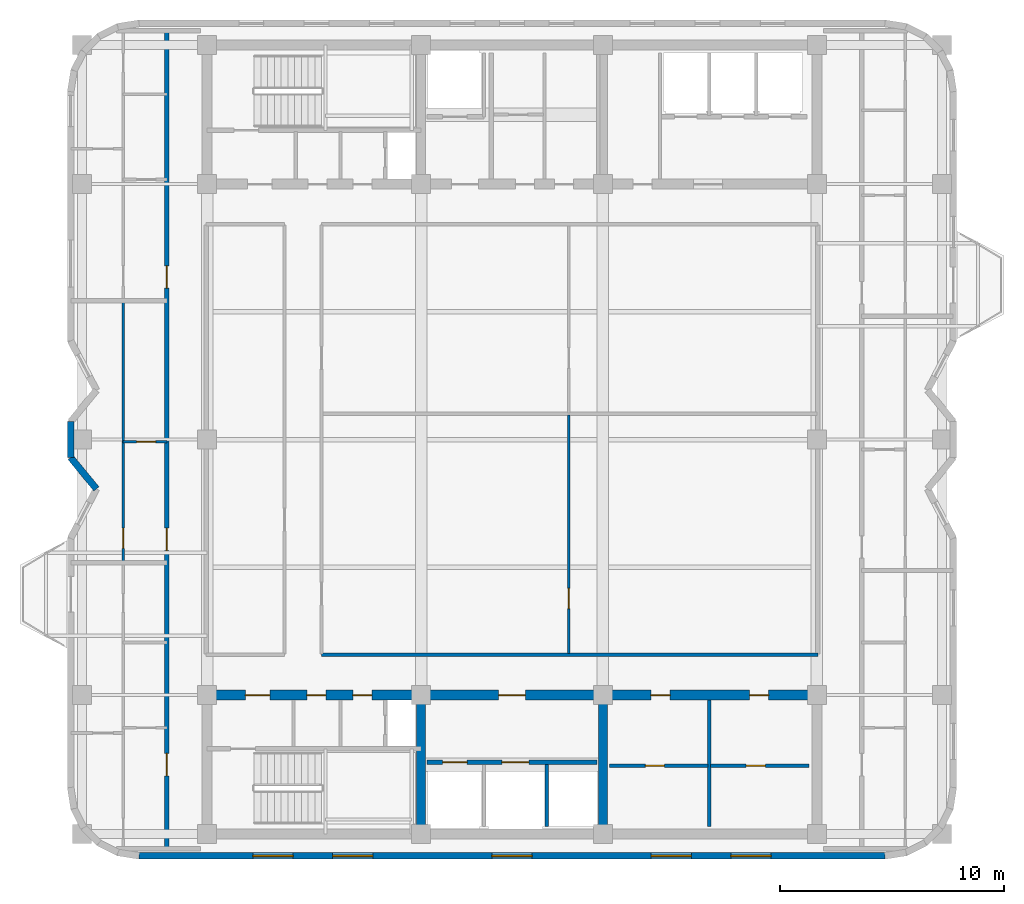
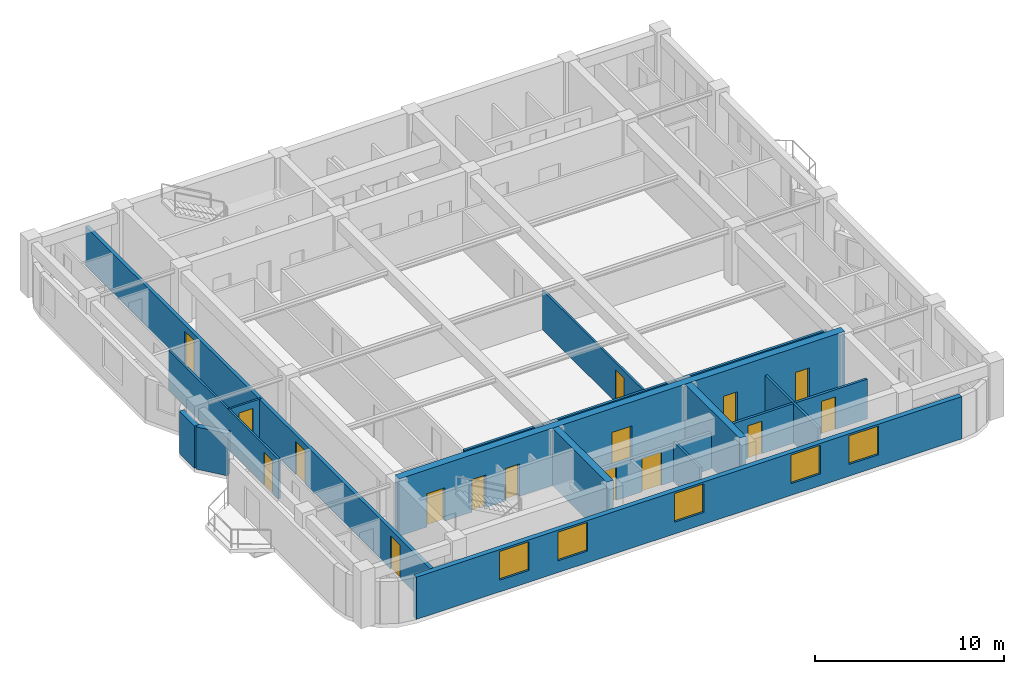
# One storey, part 3 of 9: 16 doors, 16 walls, 5 windows, 21 openings.
"""IFC4 building model written with IfcOpenShell, lengths in metres."""

from ifc_helpers import new_model, si_unit, direction, frame, frame_2d, origin, place, context, subcontext, project, spatial, rectangle, extrude, material, layer, layer_set, type_object, element, fill, save


model = new_model("IFC4")

# Units and contexts
model_context = context("Model", 3, precision=1e-05, world=origin(), true_north=direction((0.0, 1.0)))
body_context = subcontext(model_context, "Body", "Model", "MODEL_VIEW")
ifc_project = project(units=[si_unit("LENGTHUNIT", "METRE"), si_unit("AREAUNIT", "SQUARE_METRE"), si_unit("VOLUMEUNIT", "CUBIC_METRE"), si_unit("PLANEANGLEUNIT", "RADIAN"), si_unit("MASSUNIT", "GRAM", prefix="KILO")], contexts=[model_context])

# Site, building, storey
site_placement = place(None, origin())
site = spatial("IfcSite", under=ifc_project, at=site_placement, CompositionType="ELEMENT")
building_placement = place(site_placement, origin())
building = spatial("IfcBuilding", under=site, at=building_placement, Name="Svetorya Sky Lyceum", CompositionType="ELEMENT")
storey_placement = place(building_placement, frame((0.0, 0.0, 240.60009765625)))
storey = spatial("IfcBuildingStorey", under=building, at=storey_placement, Name="L60", CompositionType="ELEMENT", Elevation=240.60009765625)

# Walls
ifc_material_1 = material(Name="Concrete C40/50", Category="concrete")
ifc_layer_1 = layer(ifc_material_1, 0.39990234375)
ifc_layer_set_1 = layer_set([ifc_layer_1], Name="Concrete C40/50")
wall_type_1 = type_object("IfcWallType", Name="WL-CORE-400", PredefinedType="SHEAR", material=ifc_layer_set_1)
for number, where, z_axis, x_axis, name in (
    (1, (35.14990234375, 10.824951171875, 0.0), (0.0, 0.0, 1.0), (0.0, 1.0, 0.0), "L60 SC Internal Shear Web WEB1"),
    (2, (43.25, 10.824951171875, 0.0), (0.0, 0.0, 1.0), (0.0, 1.0, 0.0), "L60 SC Internal Shear Web WEB2"),
):
    element("IfcWall", number, at=place(storey_placement, frame(where, z_axis=z_axis, x_axis=x_axis)), inside=storey, type_object=wall_type_1, Name=name, PredefinedType="SHEAR", context=body_context, shape_type="SweptSolid", body=[
        extrude(rectangle(XDim=5.75, YDim=0.39990234375, at=frame_2d((2.875, 0.0))), origin(), (0.0, 0.0, 1.0), 3.699951171875),
    ])

# Wall, openings, doors
ifc_material_2 = material(Name="Concrete C50/60", Category="concrete")
ifc_layer_2 = layer(ifc_material_2, 0.449951171875)
ifc_layer_set_2 = layer_set([ifc_layer_2], Name="Concrete C50/60")
wall_type_2 = type_object("IfcWallType", Name="WL-CORE-450", PredefinedType="SHEAR", material=ifc_layer_set_2)
wall_1_placement = place(storey_placement, frame((25.60009765625, 16.800048828125, 0.0), z_axis=(0.0, 0.0, 1.0), x_axis=(1.0, 0.0, 0.0)))
wall_1 = element("IfcWall", 3, at=wall_1_placement, inside=storey, type_object=wall_type_2, Name="L60 SC Inner Core Shear Wall", PredefinedType="SHEAR", context=body_context, shape_type="SweptSolid", body=[
    extrude(rectangle(XDim=27.199951171875, YDim=0.449951171875, at=frame_2d((13.60009765625, 0.0))), origin(), (0.0, 0.0, 1.0), 3.699951171875),
])
opening_1_placement = place(wall_1_placement, frame((1.699951171875, 0.0, 0.0)))
opening_1 = element("IfcOpeningElement", 4, at=opening_1_placement, cuts=wall_1, Name="Opening D-ST1", PredefinedType="OPENING", context=body_context, shape_type="SweptSolid", body=[
    extrude(rectangle(XDim=1.10009765625, YDim=2.14990234375, at=frame_2d((0.550048828125, 1.074951171875))), frame((0.0, 0.23486328125, 0.0), z_axis=(0.0, -1.0, 0.0), x_axis=(1.0, 0.0, 0.0)), (0.0, 0.0, 1.0), 0.469970703125),
])
opening_2_placement = place(wall_1_placement, frame((4.449951171875, 0.0, 0.0)))
opening_2 = element("IfcOpeningElement", 5, at=opening_2_placement, cuts=wall_1, Name="Opening D-CWC1", PredefinedType="OPENING", context=body_context, shape_type="SweptSolid", body=[
    extrude(rectangle(XDim=0.85009765625, YDim=2.10009765625, at=frame_2d((0.425048828125, 1.050048828125))), frame((0.0, 0.23486328125, 0.0), z_axis=(0.0, -1.0, 0.0), x_axis=(1.0, 0.0, 0.0)), (0.0, 0.0, 1.0), 0.469970703125),
])
opening_3_placement = place(wall_1_placement, frame((6.5, 0.0, 0.0)))
opening_3 = element("IfcOpeningElement", 6, at=opening_3_placement, cuts=wall_1, Name="Opening D-CWC1", PredefinedType="OPENING", context=body_context, shape_type="SweptSolid", body=[
    extrude(rectangle(XDim=0.85009765625, YDim=2.10009765625, at=frame_2d((0.425048828125, 1.050048828125))), frame((0.0, 0.23486328125, 0.0), z_axis=(0.0, -1.0, 0.0), x_axis=(1.0, 0.0, 0.0)), (0.0, 0.0, 1.0), 0.469970703125),
])
opening_4_placement = place(wall_1_placement, frame((13.0, 0.0, 0.0)))
opening_4 = element("IfcOpeningElement", 7, at=opening_4_placement, cuts=wall_1, Name="Opening D-FL1", PredefinedType="OPENING", context=body_context, shape_type="SweptSolid", body=[
    extrude(rectangle(XDim=1.199951171875, YDim=2.14990234375, at=frame_2d((0.60009765625, 1.074951171875))), frame((0.0, 0.23486328125, 0.0), z_axis=(0.0, -1.0, 0.0), x_axis=(1.0, 0.0, 0.0)), (0.0, 0.0, 1.0), 0.469970703125),
])
opening_5_placement = place(wall_1_placement, frame((19.800048828125, 0.0, 0.0)))
opening_5 = element("IfcOpeningElement", 8, at=opening_5_placement, cuts=wall_1, Name="Opening D-CWC1", PredefinedType="OPENING", context=body_context, shape_type="SweptSolid", body=[
    extrude(rectangle(XDim=0.85009765625, YDim=2.10009765625, at=frame_2d((0.425048828125, 1.050048828125))), frame((0.0, 0.23486328125, 0.0), z_axis=(0.0, -1.0, 0.0), x_axis=(1.0, 0.0, 0.0)), (0.0, 0.0, 1.0), 0.469970703125),
])
opening_6_placement = place(wall_1_placement, frame((24.199951171875, 0.0, 0.0)))
opening_6 = element("IfcOpeningElement", 9, at=opening_6_placement, cuts=wall_1, Name="Opening D-CWC1", PredefinedType="OPENING", context=body_context, shape_type="SweptSolid", body=[
    extrude(rectangle(XDim=0.85009765625, YDim=2.10009765625, at=frame_2d((0.425048828125, 1.050048828125))), frame((0.0, 0.23486328125, 0.0), z_axis=(0.0, -1.0, 0.0), x_axis=(1.0, 0.0, 0.0)), (0.0, 0.0, 1.0), 0.469970703125),
])
ifc_material_3 = material(Name="Fire-rated galvanized steel core service closet door", Category="steel")
door_type_1 = type_object("IfcDoorType", Name="DR-CWET-850", OperationType="SINGLE_SWING_LEFT", PredefinedType="DOOR", material=ifc_material_3)
door_1_placement = place(opening_2_placement, origin())
door_1 = element("IfcDoor", 10, at=door_1_placement, inside=storey, type_object=door_type_1, Name="L60 South Mop Closet Door", OperationType="SINGLE_SWING_LEFT", OverallHeight=2.10009765625, OverallWidth=0.85009765625, PredefinedType="DOOR", context=body_context, shape_type="SweptSolid", body=[
    extrude(rectangle(XDim=0.85009765625, YDim=2.10009765625, at=frame_2d((0.425048828125, 1.050048828125))), frame((0.0, 0.02490234375, 0.0), z_axis=(0.0, -1.0, 0.0), x_axis=(1.0, 0.0, 0.0)), (0.0, 0.0, 1.0), 0.050048828125),
])
fill(opening_2, door_1)
door_2_placement = place(opening_3_placement, origin())
door_2 = element("IfcDoor", 11, at=door_2_placement, inside=storey, type_object=door_type_1, Name="L60 South West WC Door", OperationType="SINGLE_SWING_RIGHT", OverallHeight=2.10009765625, OverallWidth=0.85009765625, PredefinedType="DOOR", context=body_context, shape_type="SweptSolid", body=[
    extrude(rectangle(XDim=0.85009765625, YDim=2.10009765625, at=frame_2d((0.425048828125, 1.050048828125))), frame((0.0, 0.02490234375, 0.0), z_axis=(0.0, -1.0, 0.0), x_axis=(1.0, 0.0, 0.0)), (0.0, 0.0, 1.0), 0.050048828125),
])
fill(opening_3, door_2)
door_3_placement = place(opening_5_placement, origin())
door_3 = element("IfcDoor", 12, at=door_3_placement, inside=storey, type_object=door_type_1, Name="L60 Housekeeping Door", OperationType="SINGLE_SWING_LEFT", OverallHeight=2.10009765625, OverallWidth=0.85009765625, PredefinedType="DOOR", context=body_context, shape_type="SweptSolid", body=[
    extrude(rectangle(XDim=0.85009765625, YDim=2.10009765625, at=frame_2d((0.425048828125, 1.050048828125))), frame((0.0, 0.02490234375, 0.0), z_axis=(0.0, -1.0, 0.0), x_axis=(1.0, 0.0, 0.0)), (0.0, 0.0, 1.0), 0.050048828125),
])
fill(opening_5, door_3)
door_4_placement = place(opening_6_placement, origin())
door_4 = element("IfcDoor", 13, at=door_4_placement, inside=storey, type_object=door_type_1, Name="L60 South WC Door", OperationType="SINGLE_SWING_RIGHT", OverallHeight=2.10009765625, OverallWidth=0.85009765625, PredefinedType="DOOR", context=body_context, shape_type="SweptSolid", body=[
    extrude(rectangle(XDim=0.85009765625, YDim=2.10009765625, at=frame_2d((0.425048828125, 1.050048828125))), frame((0.0, 0.02490234375, 0.0), z_axis=(0.0, -1.0, 0.0), x_axis=(1.0, 0.0, 0.0)), (0.0, 0.0, 1.0), 0.050048828125),
])
fill(opening_6, door_4)
ifc_material_4 = material(Name="Powder-coated insulated galvanized stair fire door")
door_type_2 = type_object("IfcDoorType", Name="DR-FIRE-1100", OperationType="SINGLE_SWING_LEFT", PredefinedType="DOOR", material=ifc_material_4)
door_5_placement = place(opening_1_placement, origin())
door_5 = element("IfcDoor", 14, at=door_5_placement, inside=storey, type_object=door_type_2, Name="L60 South Stair Airlock Door", OperationType="SINGLE_SWING_RIGHT", OverallHeight=2.14990234375, OverallWidth=1.10009765625, PredefinedType="DOOR", context=body_context, shape_type="SweptSolid", body=[
    extrude(rectangle(XDim=1.10009765625, YDim=2.14990234375, at=frame_2d((0.550048828125, 1.074951171875))), frame((0.0, 0.02490234375, 0.0), z_axis=(0.0, -1.0, 0.0), x_axis=(1.0, 0.0, 0.0)), (0.0, 0.0, 1.0), 0.050048828125),
])
fill(opening_1, door_5)
ifc_material_5 = material(Name="Powder-coated insulated galvanized fire door")
door_type_3 = type_object("IfcDoorType", Name="DR-FIRE-1200", OperationType="SINGLE_SWING_LEFT", PredefinedType="DOOR", material=ifc_material_5)
door_6_placement = place(opening_4_placement, origin())
door_6 = element("IfcDoor", 15, at=door_6_placement, inside=storey, type_object=door_type_3, Name="L60 South Firefighting Lift Lobby Door", OperationType="SINGLE_SWING_LEFT", OverallHeight=2.14990234375, OverallWidth=1.199951171875, PredefinedType="DOOR", context=body_context, shape_type="SweptSolid", body=[
    extrude(rectangle(XDim=1.199951171875, YDim=2.14990234375, at=frame_2d((0.60009765625, 1.074951171875))), frame((0.0, 0.02490234375, 0.0), z_axis=(0.0, -1.0, 0.0), x_axis=(1.0, 0.0, 0.0)), (0.0, 0.0, 1.0), 0.050048828125),
])
fill(opening_4, door_6)

# Wall, openings, windows
ifc_material_6 = material(Name="Putilovo limestone rainscreen on autoclaved cellular masonry", Category="masonry")
ifc_layer_3 = layer(ifc_material_6, 0.300048828125)
ifc_layer_set_3 = layer_set([ifc_layer_3], Name="Putilovo limestone rainscreen on autoclaved cellular masonry")
wall_type_3 = type_object("IfcWallType", Name="WL-EXT-300", PredefinedType="SOLIDWALL", material=ifc_layer_set_3)
wall_2_placement = place(storey_placement, frame((22.56005859375, 9.6298828125, 0.0), z_axis=(0.0, 0.0, 1.0), x_axis=(1.0, 0.0, 0.0)))
wall_2 = element("IfcWall", 16, at=wall_2_placement, inside=storey, type_object=wall_type_3, Name="L60 Limestone Exterior Wall 6M", PredefinedType="SOLIDWALL", context=body_context, shape_type="SweptSolid", body=[
    extrude(rectangle(XDim=33.280029296875, YDim=0.300048828125, at=frame_2d((16.64013671875, 0.0))), origin(), (0.0, 0.0, 1.0), 2.72998046875),
])
opening_7_placement = place(wall_2_placement, frame((5.080078125, 0.0, 0.760009765625)))
opening_7 = element("IfcOpeningElement", 17, at=opening_7_placement, cuts=wall_2, Name="Opening W-R1", PredefinedType="OPENING", context=body_context, shape_type="SweptSolid", body=[
    extrude(rectangle(XDim=1.800048828125, YDim=1.85009765625, at=frame_2d((0.89990234375, 0.925048828125))), frame((0.0, 0.159912109375, 0.0), z_axis=(0.0, -1.0, 0.0), x_axis=(1.0, 0.0, 0.0)), (0.0, 0.0, 1.0), 0.320068359375),
])
opening_8_placement = place(wall_2_placement, frame((8.63330078125, 0.0, 0.760009765625)))
opening_8 = element("IfcOpeningElement", 18, at=opening_8_placement, cuts=wall_2, Name="Opening W-R1", PredefinedType="OPENING", context=body_context, shape_type="SweptSolid", body=[
    extrude(rectangle(XDim=1.800048828125, YDim=1.85009765625, at=frame_2d((0.89990234375, 0.925048828125))), frame((0.0, 0.159912109375, 0.0), z_axis=(0.0, -1.0, 0.0), x_axis=(1.0, 0.0, 0.0)), (0.0, 0.0, 1.0), 0.320068359375),
])
opening_9_placement = place(wall_2_placement, frame((15.739990234375, 0.0, 0.760009765625)))
opening_9 = element("IfcOpeningElement", 19, at=opening_9_placement, cuts=wall_2, Name="Opening W-R1", PredefinedType="OPENING", context=body_context, shape_type="SweptSolid", body=[
    extrude(rectangle(XDim=1.800048828125, YDim=1.85009765625, at=frame_2d((0.89990234375, 0.925048828125))), frame((0.0, 0.159912109375, 0.0), z_axis=(0.0, -1.0, 0.0), x_axis=(1.0, 0.0, 0.0)), (0.0, 0.0, 1.0), 0.320068359375),
])
opening_10_placement = place(wall_2_placement, frame((22.8466796875, 0.0, 0.760009765625)))
opening_10 = element("IfcOpeningElement", 20, at=opening_10_placement, cuts=wall_2, Name="Opening W-R1", PredefinedType="OPENING", context=body_context, shape_type="SweptSolid", body=[
    extrude(rectangle(XDim=1.800048828125, YDim=1.85009765625, at=frame_2d((0.89990234375, 0.925048828125))), frame((0.0, 0.159912109375, 0.0), z_axis=(0.0, -1.0, 0.0), x_axis=(1.0, 0.0, 0.0)), (0.0, 0.0, 1.0), 0.320068359375),
])
opening_11_placement = place(wall_2_placement, frame((26.39990234375, 0.0, 0.760009765625)))
opening_11 = element("IfcOpeningElement", 21, at=opening_11_placement, cuts=wall_2, Name="Opening W-R1", PredefinedType="OPENING", context=body_context, shape_type="SweptSolid", body=[
    extrude(rectangle(XDim=1.800048828125, YDim=1.85009765625, at=frame_2d((0.89990234375, 0.925048828125))), frame((0.0, 0.159912109375, 0.0), z_axis=(0.0, -1.0, 0.0), x_axis=(1.0, 0.0, 0.0)), (0.0, 0.0, 1.0), 0.320068359375),
])
ifc_material_7 = material(Name="Thermally broken aluminium frame with triple low-E glazing", Category="aluminium")
window_type = type_object("IfcWindowType", Name="WN-RES-180", PartitioningType="DOUBLE_PANEL_VERTICAL", PredefinedType="WINDOW", material=ifc_material_7)
window_1_placement = place(opening_7_placement, origin())
window_1 = element("IfcWindow", 22, at=window_1_placement, inside=storey, type_object=window_type, Name="L60 Facade Window W-R1.6M.1", OverallHeight=1.85009765625, OverallWidth=1.800048828125, PartitioningType="SINGLE_PANEL", PredefinedType="WINDOW", context=body_context, shape_type="SweptSolid", body=[
    extrude(rectangle(XDim=1.800048828125, YDim=1.85009765625, at=frame_2d((0.89990234375, 0.925048828125))), frame((0.0, 0.030029296875, 0.0), z_axis=(0.0, -1.0, 0.0), x_axis=(1.0, 0.0, 0.0)), (0.0, 0.0, 1.0), 0.06005859375),
])
fill(opening_7, window_1)
window_2_placement = place(opening_8_placement, origin())
window_2 = element("IfcWindow", 23, at=window_2_placement, inside=storey, type_object=window_type, Name="L60 Facade Window W-R1.6M.2", OverallHeight=1.85009765625, OverallWidth=1.800048828125, PartitioningType="SINGLE_PANEL", PredefinedType="WINDOW", context=body_context, shape_type="SweptSolid", body=[
    extrude(rectangle(XDim=1.800048828125, YDim=1.85009765625, at=frame_2d((0.89990234375, 0.925048828125))), frame((0.0, 0.030029296875, 0.0), z_axis=(0.0, -1.0, 0.0), x_axis=(1.0, 0.0, 0.0)), (0.0, 0.0, 1.0), 0.06005859375),
])
fill(opening_8, window_2)
window_3_placement = place(opening_9_placement, origin())
window_3 = element("IfcWindow", 24, at=window_3_placement, inside=storey, type_object=window_type, Name="L60 Facade Window W-R1.6M.3", OverallHeight=1.85009765625, OverallWidth=1.800048828125, PartitioningType="SINGLE_PANEL", PredefinedType="WINDOW", context=body_context, shape_type="SweptSolid", body=[
    extrude(rectangle(XDim=1.800048828125, YDim=1.85009765625, at=frame_2d((0.89990234375, 0.925048828125))), frame((0.0, 0.030029296875, 0.0), z_axis=(0.0, -1.0, 0.0), x_axis=(1.0, 0.0, 0.0)), (0.0, 0.0, 1.0), 0.06005859375),
])
fill(opening_9, window_3)
window_4_placement = place(opening_10_placement, origin())
window_4 = element("IfcWindow", 25, at=window_4_placement, inside=storey, type_object=window_type, Name="L60 Facade Window W-R1.6M.4", OverallHeight=1.85009765625, OverallWidth=1.800048828125, PartitioningType="SINGLE_PANEL", PredefinedType="WINDOW", context=body_context, shape_type="SweptSolid", body=[
    extrude(rectangle(XDim=1.800048828125, YDim=1.85009765625, at=frame_2d((0.89990234375, 0.925048828125))), frame((0.0, 0.030029296875, 0.0), z_axis=(0.0, -1.0, 0.0), x_axis=(1.0, 0.0, 0.0)), (0.0, 0.0, 1.0), 0.06005859375),
])
fill(opening_10, window_4)
window_5_placement = place(opening_11_placement, origin())
window_5 = element("IfcWindow", 26, at=window_5_placement, inside=storey, type_object=window_type, Name="L60 Facade Window W-R1.6M.5", OverallHeight=1.85009765625, OverallWidth=1.800048828125, PartitioningType="SINGLE_PANEL", PredefinedType="WINDOW", context=body_context, shape_type="SweptSolid", body=[
    extrude(rectangle(XDim=1.800048828125, YDim=1.85009765625, at=frame_2d((0.89990234375, 0.925048828125))), frame((0.0, 0.030029296875, 0.0), z_axis=(0.0, -1.0, 0.0), x_axis=(1.0, 0.0, 0.0)), (0.0, 0.0, 1.0), 0.06005859375),
])
fill(opening_11, window_5)

# Walls
wall_3_placement = place(storey_placement, frame((19.510009765625, 29.0, 0.0), z_axis=(0.0, 0.0, 1.0), x_axis=(0.0, -1.0, 0.0)))
element("IfcWall", 27, at=wall_3_placement, inside=storey, type_object=wall_type_3, Name="L60 Limestone Exterior Wall 33M", PredefinedType="SOLIDWALL", context=body_context, shape_type="SweptSolid", body=[
    extrude(rectangle(XDim=1.60009765625, YDim=0.300048828125, at=frame_2d((0.800048828125, 0.0))), origin(), (0.0, 0.0, 1.0), 2.72998046875),
])
wall_4_placement = place(storey_placement, frame((19.510009765625, 27.39990234375, 0.0), z_axis=(0.0, 0.0, 1.0), x_axis=(0.634733675645, -0.772730975827, 0.0)))
element("IfcWall", 28, at=wall_4_placement, inside=storey, type_object=wall_type_3, Name="L60 Limestone Exterior Wall 34M", PredefinedType="SOLIDWALL", context=body_context, shape_type="SweptSolid", body=[
    extrude(rectangle(XDim=1.8115234375, YDim=0.300048828125, at=frame_2d((0.90576171875, 0.0))), origin(), (0.0, 0.0, 1.0), 2.72998046875),
])

# Wall, opening, door
ifc_material_8 = material(Name="Twin-stud galvanized framing with double fireboard", Category="gypsum")
ifc_layer_4 = layer(ifc_material_8, 0.1201171875)
ifc_layer_set_4 = layer_set([ifc_layer_4], Name="Twin-stud galvanized framing with double fireboard")
wall_type_4 = type_object("IfcWallType", Name="WL-PART-120", PredefinedType="PARTITIONING", material=ifc_layer_set_4)
wall_5_placement = place(storey_placement, frame((41.735107421875, 18.659912109375, 0.0), z_axis=(0.0, 0.0, 1.0), x_axis=(0.0, 1.0, 0.0)))
wall_5 = element("IfcWall", 29, at=wall_5_placement, inside=storey, type_object=wall_type_4, Name="L60 Interior Partition OFF-VEM1", PredefinedType="PARTITIONING", context=body_context, shape_type="SweptSolid", body=[
    extrude(rectangle(XDim=10.6484375, YDim=0.1201171875, at=frame_2d((5.32421875, 0.0))), origin(), (0.0, 0.0, 1.0), 2.559814453125),
])
opening_12_placement = place(wall_5_placement, frame((2.0, 0.0, 0.0)))
opening_12 = element("IfcOpeningElement", 30, at=opening_12_placement, cuts=wall_5, Name="Opening D-RM1", PredefinedType="OPENING", context=body_context, shape_type="SweptSolid", body=[
    extrude(rectangle(XDim=0.89990234375, YDim=2.10009765625, at=frame_2d((0.449951171875, 1.050048828125))), frame((0.0, 0.070068359375, 0.0), z_axis=(0.0, -1.0, 0.0), x_axis=(1.0, 0.0, 0.0)), (0.0, 0.0, 1.0), 0.14013671875),
])
ifc_material_9 = material(Name="Lacquered birch veneer internal door")
door_type_4 = type_object("IfcDoorType", Name="DR-INT-900", OperationType="SINGLE_SWING_LEFT", PredefinedType="DOOR", material=ifc_material_9)
door_7_placement = place(opening_12_placement, origin())
door_7 = element("IfcDoor", 31, at=door_7_placement, inside=storey, type_object=door_type_4, Name="L60 East Study Door", OperationType="SINGLE_SWING_LEFT", OverallHeight=2.10009765625, OverallWidth=0.89990234375, PredefinedType="DOOR", context=body_context, shape_type="SweptSolid", body=[
    extrude(rectangle(XDim=0.89990234375, YDim=2.10009765625, at=frame_2d((0.449951171875, 1.050048828125))), frame((0.0, 0.02490234375, 0.0), z_axis=(0.0, -1.0, 0.0), x_axis=(1.0, 0.0, 0.0)), (0.0, 0.0, 1.0), 0.050048828125),
])
fill(opening_12, door_7)

wall_6_placement = place(storey_placement, frame((21.85009765625, 28.10009765625, 0.0), z_axis=(0.0, 0.0, 1.0), x_axis=(1.0, 0.0, 0.0)))
wall_6 = element("IfcWall", 32, at=wall_6_placement, inside=storey, type_object=wall_type_4, Name="L60 Interior Partition W2-WH1", PredefinedType="PARTITIONING", context=body_context, shape_type="SweptSolid", body=[
    extrude(rectangle(XDim=1.949951171875, YDim=0.1201171875, at=frame_2d((0.97509765625, 0.0))), origin(), (0.0, 0.0, 1.0), 2.559814453125),
])
opening_13_placement = place(wall_6_placement, frame((0.60009765625, 0.0, 0.0)))
opening_13 = element("IfcOpeningElement", 33, at=opening_13_placement, cuts=wall_6, Name="Opening D-BT1", PredefinedType="OPENING", context=body_context, shape_type="SweptSolid", body=[
    extrude(rectangle(XDim=0.85009765625, YDim=2.10009765625, at=frame_2d((0.425048828125, 1.050048828125))), frame((0.0, 0.070068359375, 0.0), z_axis=(0.0, -1.0, 0.0), x_axis=(1.0, 0.0, 0.0)), (0.0, 0.0, 1.0), 0.14013671875),
])
ifc_material_10 = material(Name="Moisture-resistant laminate bathroom door")
door_type_5 = type_object("IfcDoorType", Name="DR-WET-850", OperationType="SINGLE_SWING_LEFT", PredefinedType="DOOR", material=ifc_material_10)
door_8_placement = place(opening_13_placement, origin())
door_8 = element("IfcDoor", 34, at=door_8_placement, inside=storey, type_object=door_type_5, Name="Apartment W2 Bathroom Door", OperationType="SINGLE_SWING_RIGHT", OverallHeight=2.10009765625, OverallWidth=0.85009765625, PredefinedType="DOOR", context=body_context, shape_type="SweptSolid", body=[
    extrude(rectangle(XDim=0.85009765625, YDim=2.10009765625, at=frame_2d((0.425048828125, 1.050048828125))), frame((0.0, 0.02490234375, 0.0), z_axis=(0.0, -1.0, 0.0), x_axis=(1.0, 0.0, 0.0)), (0.0, 0.0, 1.0), 0.050048828125),
])
fill(opening_13, door_8)

wall_7_placement = place(storey_placement, frame((21.85009765625, 22.739990234375, 0.0), z_axis=(0.0, 0.0, 1.0), x_axis=(0.0, 1.0, 0.0)))
wall_7 = element("IfcWall", 35, at=wall_7_placement, inside=storey, type_object=wall_type_4, Name="L60 Interior Partition W2-WV", PredefinedType="PARTITIONING", context=body_context, shape_type="SweptSolid", body=[
    extrude(rectangle(XDim=11.625, YDim=0.1201171875, at=frame_2d((5.8125, 0.0))), origin(), (0.0, 0.0, 1.0), 2.559814453125),
])
opening_14_placement = place(wall_7_placement, frame((0.610107421875, 0.0, 0.0)))
opening_14 = element("IfcOpeningElement", 36, at=opening_14_placement, cuts=wall_7, Name="Opening D-RM1", PredefinedType="OPENING", context=body_context, shape_type="SweptSolid", body=[
    extrude(rectangle(XDim=0.89990234375, YDim=2.10009765625, at=frame_2d((0.449951171875, 1.050048828125))), frame((0.0, 0.070068359375, 0.0), z_axis=(0.0, -1.0, 0.0), x_axis=(1.0, 0.0, 0.0)), (0.0, 0.0, 1.0), 0.14013671875),
])
door_9_placement = place(opening_14_placement, origin())
door_9 = element("IfcDoor", 37, at=door_9_placement, inside=storey, type_object=door_type_4, Name="Apartment W2 Living Door", OperationType="SINGLE_SWING_LEFT", OverallHeight=2.10009765625, OverallWidth=0.89990234375, PredefinedType="DOOR", context=body_context, shape_type="SweptSolid", body=[
    extrude(rectangle(XDim=0.89990234375, YDim=2.10009765625, at=frame_2d((0.449951171875, 1.050048828125))), frame((0.0, 0.02490234375, 0.0), z_axis=(0.0, -1.0, 0.0), x_axis=(1.0, 0.0, 0.0)), (0.0, 0.0, 1.0), 0.050048828125),
])
fill(opening_14, door_9)

# Walls
ifc_material_11 = material(Name="Autoclaved cellular masonry blockwork with acoustic render", Category="masonry")
ifc_layer_5 = layer(ifc_material_11, 0.14990234375)
ifc_layer_set_5 = layer_set([ifc_layer_5], Name="Autoclaved cellular masonry blockwork with acoustic render")
wall_type_5 = type_object("IfcWallType", Name="WL-PART-150", PredefinedType="PARTITIONING", material=ifc_layer_set_5)
wall_8_placement = place(storey_placement, frame((40.75, 10.949951171875, 0.0), z_axis=(0.0, 0.0, 1.0), x_axis=(0.0, 1.0, 0.0)))
element("IfcWall", 38, at=wall_8_placement, inside=storey, type_object=wall_type_5, Name="L60 Interior Partition SC-SHD2", PredefinedType="PARTITIONING", context=body_context, shape_type="SweptSolid", body=[
    extrude(rectangle(XDim=2.75, YDim=0.14990234375, at=frame_2d((1.375, 0.0))), origin(), (0.0, 0.0, 1.0), 2.559814453125),
])
wall_9_placement = place(storey_placement, frame((48.0, 10.949951171875, 0.0), z_axis=(0.0, 0.0, 1.0), x_axis=(0.0, 1.0, 0.0)))
element("IfcWall", 39, at=wall_9_placement, inside=storey, type_object=wall_type_5, Name="L60 Interior Partition SC-LV7-V", PredefinedType="PARTITIONING", context=body_context, shape_type="SweptSolid", body=[
    extrude(rectangle(XDim=5.630126953125, YDim=0.14990234375, at=frame_2d((2.81494140625, 0.0))), origin(), (0.0, 0.0, 1.0), 2.559814453125),
])

# Wall, opening, door
wall_10_placement = place(storey_placement, frame((43.550048828125, 13.64990234375, 0.0), z_axis=(0.0, 0.0, 1.0), x_axis=(1.0, 0.0, 0.0)))
wall_10 = element("IfcWall", 40, at=wall_10_placement, inside=storey, type_object=wall_type_5, Name="L60 Interior Partition SC-LV7-HW", PredefinedType="PARTITIONING", context=body_context, shape_type="SweptSolid", body=[
    extrude(rectangle(XDim=4.39990234375, YDim=0.14990234375, at=frame_2d((2.199951171875, 0.0))), origin(), (0.0, 0.0, 1.0), 2.559814453125),
])
opening_15_placement = place(wall_10_placement, frame((1.60009765625, 0.0, 0.0)))
opening_15 = element("IfcOpeningElement", 41, at=opening_15_placement, cuts=wall_10, Name="Opening D-CWC1", PredefinedType="OPENING", context=body_context, shape_type="SweptSolid", body=[
    extrude(rectangle(XDim=0.85009765625, YDim=2.10009765625, at=frame_2d((0.425048828125, 1.050048828125))), frame((0.0, 0.0849609375, 0.0), z_axis=(0.0, -1.0, 0.0), x_axis=(1.0, 0.0, 0.0)), (0.0, 0.0, 1.0), 0.169921875),
])
door_10_placement = place(opening_15_placement, origin())
door_10 = element("IfcDoor", 42, at=door_10_placement, inside=storey, type_object=door_type_1, Name="L60 South Electrical Room Door", OperationType="SINGLE_SWING_LEFT", OverallHeight=2.10009765625, OverallWidth=0.85009765625, PredefinedType="DOOR", context=body_context, shape_type="SweptSolid", body=[
    extrude(rectangle(XDim=0.85009765625, YDim=2.10009765625, at=frame_2d((0.425048828125, 1.050048828125))), frame((0.0, 0.02490234375, 0.0), z_axis=(0.0, -1.0, 0.0), x_axis=(1.0, 0.0, 0.0)), (0.0, 0.0, 1.0), 0.050048828125),
])
fill(opening_15, door_10)

wall_11_placement = place(storey_placement, frame((48.050048828125, 13.64990234375, 0.0), z_axis=(0.0, 0.0, 1.0), x_axis=(1.0, 0.0, 0.0)))
wall_11 = element("IfcWall", 43, at=wall_11_placement, inside=storey, type_object=wall_type_5, Name="L60 Interior Partition SC-LV7-HE", PredefinedType="PARTITIONING", context=body_context, shape_type="SweptSolid", body=[
    extrude(rectangle(XDim=4.39990234375, YDim=0.14990234375, at=frame_2d((2.199951171875, 0.0))), origin(), (0.0, 0.0, 1.0), 2.559814453125),
])
opening_16_placement = place(wall_11_placement, frame((1.60009765625, 0.0, 0.0)))
opening_16 = element("IfcOpeningElement", 44, at=opening_16_placement, cuts=wall_11, Name="Opening D-CWC1", PredefinedType="OPENING", context=body_context, shape_type="SweptSolid", body=[
    extrude(rectangle(XDim=0.85009765625, YDim=2.10009765625, at=frame_2d((0.425048828125, 1.050048828125))), frame((0.0, 0.0849609375, 0.0), z_axis=(0.0, -1.0, 0.0), x_axis=(1.0, 0.0, 0.0)), (0.0, 0.0, 1.0), 0.169921875),
])
door_11_placement = place(opening_16_placement, origin())
door_11 = element("IfcDoor", 45, at=door_11_placement, inside=storey, type_object=door_type_1, Name="L60 South Server Closet Door", OperationType="SINGLE_SWING_RIGHT", OverallHeight=2.10009765625, OverallWidth=0.85009765625, PredefinedType="DOOR", context=body_context, shape_type="SweptSolid", body=[
    extrude(rectangle(XDim=0.85009765625, YDim=2.10009765625, at=frame_2d((0.425048828125, 1.050048828125))), frame((0.0, 0.02490234375, 0.0), z_axis=(0.0, -1.0, 0.0), x_axis=(1.0, 0.0, 0.0)), (0.0, 0.0, 1.0), 0.050048828125),
])
fill(opening_16, door_11)

# Wall
wall_12_placement = place(storey_placement, frame((30.699951171875, 18.60009765625, 0.0), z_axis=(0.0, 0.0, 1.0), x_axis=(1.0, 0.0, 0.0)))
element("IfcWall", 46, at=wall_12_placement, inside=storey, type_object=wall_type_5, Name="L60 Interior Partition OFF-CS-E", PredefinedType="PARTITIONING", context=body_context, shape_type="SweptSolid", body=[
    extrude(rectangle(XDim=22.150146484375, YDim=0.14990234375, at=frame_2d((11.0751953125, 0.0))), origin(), (0.0, 0.0, 1.0), 2.559814453125),
])

# Wall, openings, doors
ifc_material_12 = material(Name="Autoclaved cellular masonry blockwork with gypsum plaster", Category="masonry")
ifc_layer_6 = layer(ifc_material_12, 0.199951171875)
ifc_layer_set_6 = layer_set([ifc_layer_6], Name="Autoclaved cellular masonry blockwork with gypsum plaster")
wall_type_6 = type_object("IfcWallType", Name="WL-PART-200", PredefinedType="PARTITIONING", material=ifc_layer_set_6)
wall_13_placement = place(storey_placement, frame((35.39990234375, 13.800048828125, 0.0), z_axis=(0.0, 0.0, 1.0), x_axis=(1.0, 0.0, 0.0)))
wall_13 = element("IfcWall", 47, at=wall_13_placement, inside=storey, type_object=wall_type_6, Name="L60 Interior Partition SC-FLW", PredefinedType="PARTITIONING", context=body_context, shape_type="SweptSolid", body=[
    extrude(rectangle(XDim=7.60009765625, YDim=0.199951171875, at=frame_2d((3.800048828125, 0.0))), origin(), (0.0, 0.0, 1.0), 2.329833984375),
])
opening_17_placement = place(wall_13_placement, frame((0.699951171875, 0.0, 0.0)))
opening_17 = element("IfcOpeningElement", 48, at=opening_17_placement, cuts=wall_13, Name="Opening LD-FL", PredefinedType="OPENING", context=body_context, shape_type="SweptSolid", body=[
    extrude(rectangle(XDim=1.10009765625, YDim=2.14990234375, at=frame_2d((0.550048828125, 1.074951171875))), frame((0.0, 0.10986328125, 0.0), z_axis=(0.0, -1.0, 0.0), x_axis=(1.0, 0.0, 0.0)), (0.0, 0.0, 1.0), 0.219970703125),
])
opening_18_placement = place(wall_13_placement, frame((3.35009765625, 0.0, 0.0)))
opening_18 = element("IfcOpeningElement", 49, at=opening_18_placement, cuts=wall_13, Name="Opening LD-SV", PredefinedType="OPENING", context=body_context, shape_type="SweptSolid", body=[
    extrude(rectangle(XDim=1.199951171875, YDim=2.14990234375, at=frame_2d((0.60009765625, 1.074951171875))), frame((0.0, 0.10986328125, 0.0), z_axis=(0.0, -1.0, 0.0), x_axis=(1.0, 0.0, 0.0)), (0.0, 0.0, 1.0), 0.219970703125),
])
ifc_material_13 = material(Name="Fire-rated stainless AISI 304 firefighting lift landing door")
door_type_6 = type_object("IfcDoorType", Name="DR-LIFT-1100", OperationType="SLIDING_TO_LEFT", PredefinedType="DOOR", material=ifc_material_13)
door_12_placement = place(opening_17_placement, origin())
door_12 = element("IfcDoor", 50, at=door_12_placement, inside=storey, type_object=door_type_6, Name="L60 Firefighting Lift FL2 Landing Door", OperationType="SLIDING_TO_LEFT", OverallHeight=2.14990234375, OverallWidth=1.10009765625, PredefinedType="DOOR", context=body_context, shape_type="SweptSolid", body=[
    extrude(rectangle(XDim=1.10009765625, YDim=2.14990234375, at=frame_2d((0.550048828125, 1.074951171875))), frame((0.0, 0.02490234375, 0.0), z_axis=(0.0, -1.0, 0.0), x_axis=(1.0, 0.0, 0.0)), (0.0, 0.0, 1.0), 0.050048828125),
])
fill(opening_17, door_12)
ifc_material_14 = material(Name="Brushed stainless AISI 304 telescopic lift landing door")
door_type_7 = type_object("IfcDoorType", Name="DR-LIFT-1200", OperationType="SLIDING_TO_LEFT", PredefinedType="DOOR", material=ifc_material_14)
door_13_placement = place(opening_18_placement, origin())
door_13 = element("IfcDoor", 51, at=door_13_placement, inside=storey, type_object=door_type_7, Name="L60 Service Lift SVL1 Landing Door", OperationType="SLIDING_TO_LEFT", OverallHeight=2.14990234375, OverallWidth=1.199951171875, PredefinedType="DOOR", context=body_context, shape_type="SweptSolid", body=[
    extrude(rectangle(XDim=1.199951171875, YDim=2.14990234375, at=frame_2d((0.60009765625, 1.074951171875))), frame((0.0, 0.02490234375, 0.0), z_axis=(0.0, -1.0, 0.0), x_axis=(1.0, 0.0, 0.0)), (0.0, 0.0, 1.0), 0.050048828125),
])
fill(opening_18, door_13)

wall_14_placement = place(storey_placement, frame((23.800048828125, 9.949951171875, 0.0), z_axis=(0.0, 0.0, 1.0), x_axis=(0.0, 1.0, 0.0)))
wall_14 = element("IfcWall", 52, at=wall_14_placement, inside=storey, type_object=wall_type_6, Name="L60 Interior Partition W-CORRW", PredefinedType="PARTITIONING", context=body_context, shape_type="SweptSolid", body=[
    extrude(rectangle(XDim=36.5, YDim=0.199951171875, at=frame_2d((18.25, 0.0))), origin(), (0.0, 0.0, 1.0), 2.559814453125),
])
opening_19_placement = place(wall_14_placement, frame((3.25, 0.0, 0.0)))
opening_19 = element("IfcOpeningElement", 53, at=opening_19_placement, cuts=wall_14, Name="Opening D-APT1", PredefinedType="OPENING", context=body_context, shape_type="SweptSolid", body=[
    extrude(rectangle(XDim=1.0, YDim=2.14990234375, at=frame_2d((0.5, 1.074951171875))), frame((0.0, 0.10986328125, 0.0), z_axis=(0.0, -1.0, 0.0), x_axis=(1.0, 0.0, 0.0)), (0.0, 0.0, 1.0), 0.219970703125),
])
opening_20_placement = place(wall_14_placement, frame((13.300048828125, 0.0, 0.0)))
opening_20 = element("IfcOpeningElement", 54, at=opening_20_placement, cuts=wall_14, Name="Opening D-APT1", PredefinedType="OPENING", context=body_context, shape_type="SweptSolid", body=[
    extrude(rectangle(XDim=1.0, YDim=2.14990234375, at=frame_2d((0.5, 1.074951171875))), frame((0.0, 0.10986328125, 0.0), z_axis=(0.0, -1.0, 0.0), x_axis=(1.0, 0.0, 0.0)), (0.0, 0.0, 1.0), 0.219970703125),
])
opening_21_placement = place(wall_14_placement, frame((25.0048828125, 0.0, 0.0)))
opening_21 = element("IfcOpeningElement", 55, at=opening_21_placement, cuts=wall_14, Name="Opening D-APT1", PredefinedType="OPENING", context=body_context, shape_type="SweptSolid", body=[
    extrude(rectangle(XDim=1.0, YDim=2.14990234375, at=frame_2d((0.5, 1.074951171875))), frame((0.0, 0.10986328125, 0.0), z_axis=(0.0, -1.0, 0.0), x_axis=(1.0, 0.0, 0.0)), (0.0, 0.0, 1.0), 0.219970703125),
])
ifc_material_15 = material(Name="Insulated oak-veneered apartment entrance door")
door_type_8 = type_object("IfcDoorType", Name="DR-APT-1000", OperationType="SINGLE_SWING_LEFT", PredefinedType="DOOR", material=ifc_material_15)
door_14_placement = place(opening_19_placement, origin())
door_14 = element("IfcDoor", 56, at=door_14_placement, inside=storey, type_object=door_type_8, Name="L60 Apartment W1 Entrance Door", OperationType="SINGLE_SWING_LEFT", OverallHeight=2.14990234375, OverallWidth=1.0, PredefinedType="DOOR", context=body_context, shape_type="SweptSolid", body=[
    extrude(rectangle(XDim=1.0, YDim=2.14990234375, at=frame_2d((0.5, 1.074951171875))), frame((0.0, 0.02490234375, 0.0), z_axis=(0.0, -1.0, 0.0), x_axis=(1.0, 0.0, 0.0)), (0.0, 0.0, 1.0), 0.050048828125),
])
fill(opening_19, door_14)
door_15_placement = place(opening_20_placement, origin())
door_15 = element("IfcDoor", 57, at=door_15_placement, inside=storey, type_object=door_type_8, Name="L60 Apartment W2 Entrance Door", OperationType="SINGLE_SWING_RIGHT", OverallHeight=2.14990234375, OverallWidth=1.0, PredefinedType="DOOR", context=body_context, shape_type="SweptSolid", body=[
    extrude(rectangle(XDim=1.0, YDim=2.14990234375, at=frame_2d((0.5, 1.074951171875))), frame((0.0, 0.02490234375, 0.0), z_axis=(0.0, -1.0, 0.0), x_axis=(1.0, 0.0, 0.0)), (0.0, 0.0, 1.0), 0.050048828125),
])
fill(opening_20, door_15)
door_16_placement = place(opening_21_placement, origin())
door_16 = element("IfcDoor", 58, at=door_16_placement, inside=storey, type_object=door_type_8, Name="L60 Apartment W3 Entrance Door", OperationType="SINGLE_SWING_LEFT", OverallHeight=2.14990234375, OverallWidth=1.0, PredefinedType="DOOR", context=body_context, shape_type="SweptSolid", body=[
    extrude(rectangle(XDim=1.0, YDim=2.14990234375, at=frame_2d((0.5, 1.074951171875))), frame((0.0, 0.02490234375, 0.0), z_axis=(0.0, -1.0, 0.0), x_axis=(1.0, 0.0, 0.0)), (0.0, 0.0, 1.0), 0.050048828125),
])
fill(opening_21, door_16)

save(model, "model.ifc")
